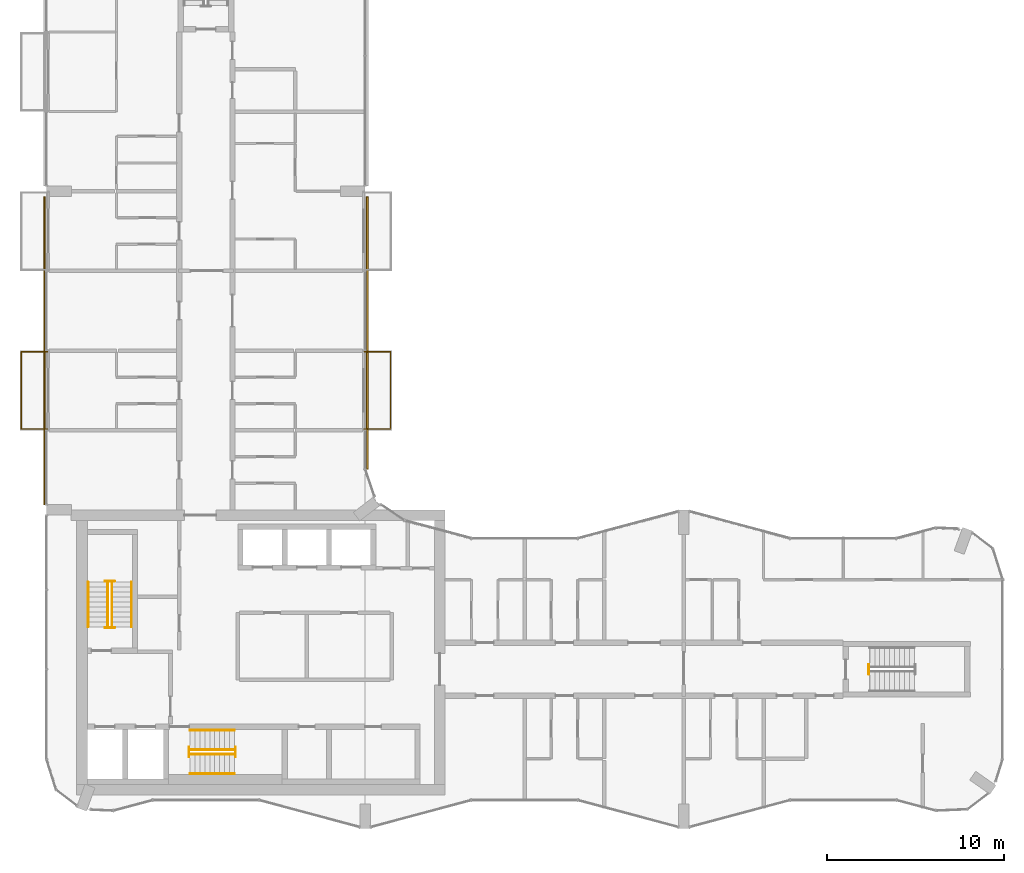
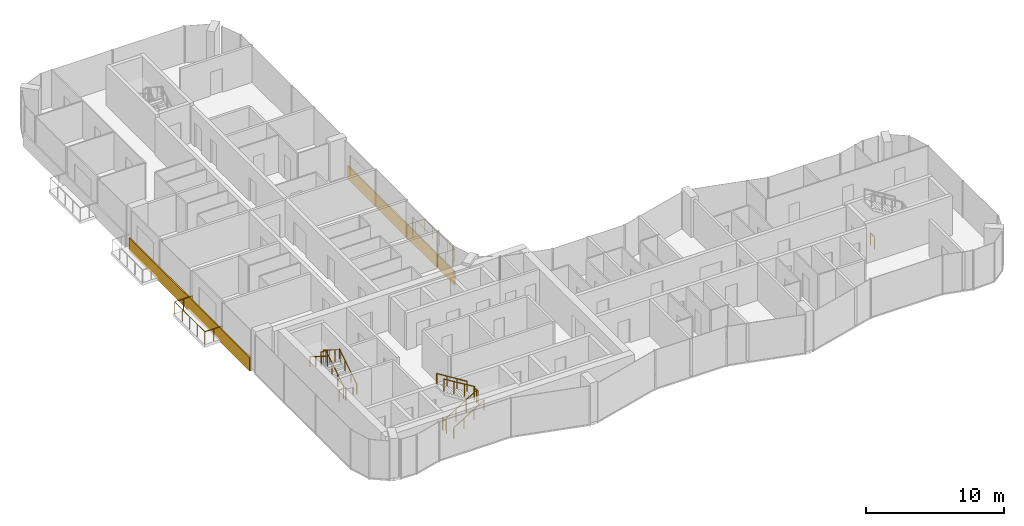
# One storey, part 14 of 16: 15 railings, 2 coverings.
"""IFC4 building model written with IfcOpenShell, lengths in metres."""

import ifcopenshell
import ifcopenshell.guid

model = None  # the IFC model being written
_history = None  # IfcOwnerHistory: only IFC2X3 demands one
_inside = {}  # id of a spatial element -> (the spatial element, [elements in it])
_under = {}  # id of a project, library or spatial element -> (it, [spatial elements below it])
_declared = {}  # id of a project -> (the project, [libraries it declares])
_typed = {}  # id of a type object -> (the type object, [elements of that type])
_made_of = {}  # id of a material, layer set ... -> (it, [elements and type objects made of it])


def new_model(schema):
    """Start an empty IFC model of exactly this schema.

    Asked for "IFC4X3", IfcOpenShell would pick the latest addendum, in which some entities
    have other attributes; the version numbers below select the first issue.
    IFC2X3 requires an IfcOwnerHistory on every rooted entity: one is made here for all.
    """
    global model, _history
    if schema == "IFC4X3":
        model = ifcopenshell.file(schema_version=(4, 3, 0, 0))
    else:
        model = ifcopenshell.file(schema=schema)
    _inside.clear()
    _under.clear()
    _declared.clear()
    _typed.clear()
    _made_of.clear()
    _history = None
    if model.schema == "IFC2X3":
        org = make("IfcOrganization", Name="unknown")
        user = make(
            "IfcPersonAndOrganization",
            ThePerson=make("IfcPerson", FamilyName="unknown"),
            TheOrganization=org,
        )
        app = make(
            "IfcApplication",
            ApplicationDeveloper=org,
            Version="unknown",
            ApplicationFullName="unknown",
            ApplicationIdentifier="unknown",
        )
        _history = make(
            "IfcOwnerHistory",
            OwningUser=user,
            OwningApplication=app,
            ChangeAction="ADDED",
            CreationDate=0,
        )
    return model


def make(cls, **values):
    """One entity of the class cls with the attributes given. An attribute that is None is left unset."""
    return model.create_entity(
        cls, **{name: value for name, value in values.items() if value is not None}
    )


def rooted(cls, **values):
    """An entity with a GlobalId (a new one), such as an element, a storey or a relation."""
    return make(cls, GlobalId=ifcopenshell.guid.new(), OwnerHistory=_history, **values)


def si_unit(unit_type, name, prefix=None):
    """IfcSIUnit, for example si_unit("LENGTHUNIT", "METRE", prefix="MILLI")."""
    return make("IfcSIUnit", UnitType=unit_type, Prefix=prefix, Name=name)


def assignment(units):
    """IfcUnitAssignment: the units of a project."""
    return None if units is None else make("IfcUnitAssignment", Units=units)


def point(xyz):
    """IfcCartesianPoint."""
    return None if xyz is None else make("IfcCartesianPoint", Coordinates=xyz)


def direction(xyz):
    """IfcDirection."""
    return None if xyz is None else make("IfcDirection", DirectionRatios=xyz)


def frame(location, z_axis=None, x_axis=None):
    """IfcAxis2Placement3D, a coordinate frame: its origin and axes. An axis left out is left unset."""
    return make(
        "IfcAxis2Placement3D",
        Location=point(location),
        Axis=direction(z_axis),
        RefDirection=direction(x_axis),
    )


def frame_2d(location, x_axis=None):
    """IfcAxis2Placement2D, a coordinate frame in the plane: its origin and x axis."""
    return make(
        "IfcAxis2Placement2D", Location=point(location), RefDirection=direction(x_axis)
    )


def origin():
    """The frame at (0, 0, 0) with its axes left unset."""
    return frame((0.0, 0.0, 0.0))


def origin_2d():
    """The frame at (0, 0) in the plane with its x axis left unset."""
    return frame_2d((0.0, 0.0))


def place(relative_to, where):
    """IfcLocalPlacement: puts the frame where relative to a parent placement (None: the world)."""
    return make(
        "IfcLocalPlacement", PlacementRelTo=relative_to, RelativePlacement=where
    )


def context(
    kind, dimensions, precision=None, world=None, true_north=None, identifier=None
):
    """IfcGeometricRepresentationContext, for example the 3D "Model" context."""
    return make(
        "IfcGeometricRepresentationContext",
        ContextIdentifier=identifier,
        ContextType=kind,
        CoordinateSpaceDimension=dimensions,
        Precision=precision,
        WorldCoordinateSystem=world,
        TrueNorth=true_north,
    )


def subcontext(parent, identifier, kind, view, scale=None):
    """IfcGeometricRepresentationSubContext, for example "Body" below "Model"."""
    return make(
        "IfcGeometricRepresentationSubContext",
        ContextIdentifier=identifier,
        ContextType=kind,
        ParentContext=parent,
        TargetScale=scale,
        TargetView=view,
    )


def project(units=None, contexts=None):
    """IfcProject with its units and contexts."""
    return rooted(
        "IfcProject",
        Name="project",
        RepresentationContexts=contexts,
        UnitsInContext=assignment(units),
    )


def spatial(cls, under=None, at=None, **own):
    """A site, building, storey or space (cls), placed at a placement, below another one or the project."""
    s = rooted(cls, ObjectPlacement=at, **own)
    if under is not None:
        _under.setdefault(under.id(), (under, []))[1].append(s)
    return s


def profile(cls, at=None, kind="AREA", **sizes):
    """A parametric profile (cls). Its sizes go by their IFC names, for example OverallWidth=200.0."""
    return make(cls, ProfileType=kind, Position=at, **sizes)


def rectangle(**sizes):
    """IfcRectangleProfileDef."""
    return profile("IfcRectangleProfileDef", **sizes)


def circle(**sizes):
    """IfcCircleProfileDef."""
    return profile("IfcCircleProfileDef", **sizes)


def extrude(swept, where, along, depth):
    """IfcExtrudedAreaSolid: the profile swept, set in the frame where, extruded along a direction by depth."""
    return make(
        "IfcExtrudedAreaSolid",
        SweptArea=swept,
        Position=where,
        ExtrudedDirection=direction(along),
        Depth=depth,
    )


def shape(context_of_items, identifier, shape_type, items):
    """IfcShapeRepresentation: the items that make up one representation, for example the "Body"."""
    return make(
        "IfcShapeRepresentation",
        ContextOfItems=context_of_items,
        RepresentationIdentifier=identifier,
        RepresentationType=shape_type,
        Items=items,
    )


def material(Name=None, Category=None):
    """IfcMaterial."""
    return make("IfcMaterial", Name=Name, Category=Category)


def layer(
    of_material, thickness, ventilated=None, Name=None, Category=None, Priority=None
):
    """IfcMaterialLayer: one layer of a wall or slab, of a material (None: an air gap)."""
    return make(
        "IfcMaterialLayer",
        Material=of_material,
        LayerThickness=thickness,
        IsVentilated=ventilated,
        Name=Name,
        Category=Category,
        Priority=Priority,
    )


def layer_set(layers, Name=None):
    """IfcMaterialLayerSet."""
    return make("IfcMaterialLayerSet", MaterialLayers=layers, LayerSetName=Name)


def made_of(thing, what):
    """Note that an element or type object is made of a material, layer set ...; save() writes the relation."""
    if what is not None:
        _made_of.setdefault(what.id(), (what, []))[1].append(thing)
    return thing


def type_object(cls, material=None, **own):
    """A type object (cls), such as IfcWallType, which elements share."""
    return made_of(rooted(cls, **own), material)


def element(
    cls,
    number,
    at=None,
    inside=None,
    cuts=None,
    type_object=None,
    material=None,
    context=None,
    identifier="Body",
    shape_type=None,
    held_by="IfcProductDefinitionShape",
    body=None,
    shapes=None,
    **own,
):
    """One element of the class cls, such as IfcWall. Its Tag is "e" and its number.

    at: its placement. inside: the storey or other place that contains it. cuts: it is an
    opening in that element (IfcRelVoidsElement). A single representation is given by context,
    identifier, shape_type and body (its items); several are given by shapes. held_by: the class
    of the entity that holds the representations. save() writes the other relations.
    """
    e = rooted(cls, Tag="e%d" % number, ObjectPlacement=at, **own)
    if body is not None:
        shapes = [shape(context, identifier, shape_type, body)]
    if shapes is not None:
        e.Representation = make(held_by, Representations=shapes)
    if inside is not None:
        _inside.setdefault(inside.id(), (inside, []))[1].append(e)
    if cuts is not None:
        rooted(
            "IfcRelVoidsElement", RelatingBuildingElement=cuts, RelatedOpeningElement=e
        )
    if type_object is not None:
        _typed.setdefault(type_object.id(), (type_object, []))[1].append(e)
    return made_of(e, material)


def aggregate(whole, parts):
    """IfcRelAggregates: a whole, such as a stair, and the parts it consists of."""
    return rooted("IfcRelAggregates", RelatingObject=whole, RelatedObjects=parts)


def save(model, path):
    """Write the relations noted so far, then the file.

    IfcRelAggregates (storeys below a building ...), IfcRelContainedInSpatialStructure (elements
    in a storey), IfcRelDefinesByType, IfcRelAssociatesMaterial and IfcRelDeclares: one each for
    every whole, place, type object, material and project.
    """
    for whole, parts in _under.values():
        aggregate(whole, parts)
    for where, things in _inside.values():
        rooted(
            "IfcRelContainedInSpatialStructure",
            RelatedElements=things,
            RelatingStructure=where,
        )
    for kind, things in _typed.values():
        rooted("IfcRelDefinesByType", RelatedObjects=things, RelatingType=kind)
    for what, things in _made_of.values():
        rooted("IfcRelAssociatesMaterial", RelatedObjects=things, RelatingMaterial=what)
    for by, libraries in _declared.values():
        rooted("IfcRelDeclares", RelatingContext=by, RelatedDefinitions=libraries)
    model.write(path)


model = new_model("IFC4")

# Units and contexts
model_context = context("Model", 3, precision=1e-05, world=origin(), true_north=direction((0.0, 1.0)))
body_context = subcontext(model_context, "Body", "Model", "MODEL_VIEW")
ifc_project = project(units=[si_unit("LENGTHUNIT", "METRE"), si_unit("AREAUNIT", "SQUARE_METRE"), si_unit("VOLUMEUNIT", "CUBIC_METRE"), si_unit("PLANEANGLEUNIT", "RADIAN"), si_unit("MASSUNIT", "GRAM", prefix="KILO")], contexts=[model_context])

# Site, building, storey
site_placement = place(None, origin())
site = spatial("IfcSite", under=ifc_project, at=site_placement, CompositionType="ELEMENT")
building_placement = place(site_placement, origin())
building = spatial("IfcBuilding", under=site, at=building_placement, Name="Plateau Cross Towers", CompositionType="ELEMENT")
storey_placement = place(building_placement, frame((0.0, 0.0, 160.39990234375)))
storey = spatial("IfcBuildingStorey", under=building, at=storey_placement, Name="L41", CompositionType="ELEMENT", Elevation=160.39990234375)

# Railings
ifc_material_1 = material(Name="Stainless steel and toughened glass", Category="steel")
railing_type_1 = type_object("IfcRailingType", Name="Glass balustrade guard 1100", PredefinedType="GUARDRAIL", material=ifc_material_1)
railing_1_placement = place(storey_placement, frame((0.050048828125, 22.570068359375, 0.0)))
element("IfcRailing", 1, at=railing_1_placement, inside=storey, type_object=railing_type_1, Name="Guard guard1", PredefinedType="GUARDRAIL", context=body_context, shape_type="SweptSolid", body=[
    extrude(circle(Radius=0.02392578125, at=origin_2d()), frame((0.0, 0.0, 1.076171875), z_axis=(-1.0, 0.0, 0.0), x_axis=(0.0, -1.0, 0.0)), (0.0, 0.0, 1.0), 1.47998046875),
    extrude(circle(Radius=0.02392578125, at=origin_2d()), frame((-1.47998046875, 0.0, 1.076171875), z_axis=(0.0, 1.0, 0.0), x_axis=(-1.0, 0.0, 0.0)), (0.0, 0.0, 1.0), 4.35986328125),
    extrude(circle(Radius=0.02392578125, at=origin_2d()), frame((-1.47998046875, 4.35986328125, 1.076171875), z_axis=(1.0, 0.0, 0.0), x_axis=(0.0, 1.0, 0.0)), (0.0, 0.0, 1.0), 1.47998046875),
    extrude(circle(Radius=0.02099609375, at=origin_2d()), origin(), (0.0, 0.0, 1.0), 1.052001953125),
    extrude(circle(Radius=0.02099609375, at=origin_2d()), frame((-0.739990234375, 0.0, 0.0)), (0.0, 0.0, 1.0), 1.052001953125),
    extrude(circle(Radius=0.02099609375, at=origin_2d()), frame((-1.47998046875, 0.0, 0.0)), (0.0, 0.0, 1.0), 1.052001953125),
    extrude(circle(Radius=0.02099609375, at=origin_2d()), frame((-1.47998046875, 1.08984375, 0.0)), (0.0, 0.0, 1.0), 1.052001953125),
    extrude(circle(Radius=0.02099609375, at=origin_2d()), frame((-1.47998046875, 2.179931640625, 0.0)), (0.0, 0.0, 1.0), 1.052001953125),
    extrude(circle(Radius=0.02099609375, at=origin_2d()), frame((-1.47998046875, 3.27001953125, 0.0)), (0.0, 0.0, 1.0), 1.052001953125),
    extrude(circle(Radius=0.02099609375, at=origin_2d()), frame((-1.47998046875, 4.35986328125, 0.0)), (0.0, 0.0, 1.0), 1.052001953125),
    extrude(circle(Radius=0.02099609375, at=origin_2d()), frame((-0.739990234375, 4.35986328125, 0.0)), (0.0, 0.0, 1.0), 1.052001953125),
    extrude(circle(Radius=0.02099609375, at=origin_2d()), frame((0.0, 4.35986328125, 0.0)), (0.0, 0.0, 1.0), 1.052001953125),
])
railing_2_placement = place(storey_placement, frame((17.949951171875, 26.929931640625, 0.0)))
element("IfcRailing", 2, at=railing_2_placement, inside=storey, type_object=railing_type_1, Name="Guard guard1", PredefinedType="GUARDRAIL", context=body_context, shape_type="SweptSolid", body=[
    extrude(circle(Radius=0.02392578125, at=origin_2d()), frame((0.0, 0.0, 1.076171875), z_axis=(1.0, 0.0, 0.0), x_axis=(0.0, 1.0, 0.0)), (0.0, 0.0, 1.0), 1.47998046875),
    extrude(circle(Radius=0.02392578125, at=origin_2d()), frame((1.47998046875, 0.0, 1.076171875), z_axis=(0.0, -1.0, 0.0), x_axis=(1.0, 0.0, 0.0)), (0.0, 0.0, 1.0), 4.35986328125),
    extrude(circle(Radius=0.02392578125, at=origin_2d()), frame((1.47998046875, -4.35986328125, 1.076171875), z_axis=(-1.0, 0.0, 0.0), x_axis=(0.0, -1.0, 0.0)), (0.0, 0.0, 1.0), 1.47998046875),
    extrude(circle(Radius=0.02099609375, at=origin_2d()), origin(), (0.0, 0.0, 1.0), 1.052001953125),
    extrude(circle(Radius=0.02099609375, at=origin_2d()), frame((0.739990234375, 0.0, 0.0)), (0.0, 0.0, 1.0), 1.052001953125),
    extrude(circle(Radius=0.02099609375, at=origin_2d()), frame((1.47998046875, 0.0, 0.0)), (0.0, 0.0, 1.0), 1.052001953125),
    extrude(circle(Radius=0.02099609375, at=origin_2d()), frame((1.47998046875, -1.08984375, 0.0)), (0.0, 0.0, 1.0), 1.052001953125),
    extrude(circle(Radius=0.02099609375, at=origin_2d()), frame((1.47998046875, -2.179931640625, 0.0)), (0.0, 0.0, 1.0), 1.052001953125),
    extrude(circle(Radius=0.02099609375, at=origin_2d()), frame((1.47998046875, -3.27001953125, 0.0)), (0.0, 0.0, 1.0), 1.052001953125),
    extrude(circle(Radius=0.02099609375, at=origin_2d()), frame((1.47998046875, -4.35986328125, 0.0)), (0.0, 0.0, 1.0), 1.052001953125),
    extrude(circle(Radius=0.02099609375, at=origin_2d()), frame((0.739990234375, -4.35986328125, 0.0)), (0.0, 0.0, 1.0), 1.052001953125),
    extrude(circle(Radius=0.02099609375, at=origin_2d()), frame((0.0, -4.35986328125, 0.0)), (0.0, 0.0, 1.0), 1.052001953125),
])
railing_type_2 = type_object("IfcRailingType", Name="RL-GUARD-1100", PredefinedType="GUARDRAIL", material=ifc_material_1)
railing_3_placement = place(storey_placement, frame((3.699951171875, 11.39990234375, 0.175048828125)))
element("IfcRailing", 3, at=railing_3_placement, inside=storey, type_object=railing_type_2, Name="L41 ST-1 stair guard 1", PredefinedType="GUARDRAIL", context=body_context, shape_type="SweptSolid", body=[
    extrude(circle(Radius=0.02392578125, at=origin_2d()), frame((0.0, 0.0, 1.076171875), z_axis=(0.0, 0.848007534815, 0.529984170421), x_axis=(-1.0, 0.0, 0.0)), (0.0, 0.0, 1.0), 2.9716796875),
    extrude(circle(Radius=0.02099609375, at=origin_2d()), origin(), (0.0, 0.0, 1.0), 1.052001953125),
    extrude(circle(Radius=0.02099609375, at=origin_2d()), frame((0.0, 0.840087890625, 0.52490234375)), (0.0, 0.0, 1.0), 1.052001953125),
    extrude(circle(Radius=0.02099609375, at=origin_2d()), frame((0.0, 1.679931640625, 1.050048828125)), (0.0, 0.0, 1.0), 1.052001953125),
    extrude(circle(Radius=0.02099609375, at=origin_2d()), frame((0.0, 2.52001953125, 1.574951171875)), (0.0, 0.0, 1.0), 1.052001953125),
])
railing_4_placement = place(storey_placement, frame((3.85009765625, 13.969970703125, 1.75)))
element("IfcRailing", 4, at=railing_4_placement, inside=storey, type_object=railing_type_2, Name="L41 ST-1 stair guard 2", PredefinedType="GUARDRAIL", context=body_context, shape_type="SweptSolid", body=[
    extrude(circle(Radius=0.02392578125, at=origin_2d()), frame((0.0, 0.0, 1.076171875), z_axis=(-1.0, 0.0, 0.0), x_axis=(0.0, -1.0, 0.0)), (0.0, 0.0, 1.0), 0.550048828125),
    extrude(circle(Radius=0.02099609375, at=origin_2d()), origin(), (0.0, 0.0, 1.0), 1.052001953125),
    extrude(circle(Radius=0.02099609375, at=origin_2d()), frame((-0.550048828125, 0.0, 0.0)), (0.0, 0.0, 1.0), 1.052001953125),
])
railing_5_placement = place(storey_placement, frame((3.449951171875, 13.919921875, 1.925048828125)))
element("IfcRailing", 5, at=railing_5_placement, inside=storey, type_object=railing_type_2, Name="L41 ST-1 stair guard 3", PredefinedType="GUARDRAIL", context=body_context, shape_type="SweptSolid", body=[
    extrude(circle(Radius=0.02392578125, at=origin_2d()), frame((0.0, 0.0, 1.076171875), z_axis=(0.0, -0.852616386126, 0.522537365276), x_axis=(1.0, 0.0, 0.0)), (0.0, 0.0, 1.0), 3.01416015625),
    extrude(circle(Radius=0.02099609375, at=origin_2d()), origin(), (0.0, 0.0, 1.0), 1.052001953125),
    extrude(circle(Radius=0.02099609375, at=origin_2d()), frame((0.0, -0.856689453125, 0.52490234375)), (0.0, 0.0, 1.0), 1.052001953125),
    extrude(circle(Radius=0.02099609375, at=origin_2d()), frame((0.0, -1.713134765625, 1.050048828125)), (0.0, 0.0, 1.0), 1.052001953125),
    extrude(circle(Radius=0.02099609375, at=origin_2d()), frame((0.0, -2.56982421875, 1.574951171875)), (0.0, 0.0, 1.0), 1.052001953125),
])
railing_6_placement = place(storey_placement, frame((3.85009765625, 11.35009765625, 0.0)))
element("IfcRailing", 6, at=railing_6_placement, inside=storey, type_object=railing_type_2, Name="L41 ST-1 stair guard 4", PredefinedType="GUARDRAIL", context=body_context, shape_type="SweptSolid", body=[
    extrude(circle(Radius=0.02392578125, at=origin_2d()), frame((0.0, 0.0, 1.076171875), z_axis=(-1.0, 0.0, 0.0), x_axis=(0.0, -1.0, 0.0)), (0.0, 0.0, 1.0), 0.550048828125),
    extrude(circle(Radius=0.02099609375, at=origin_2d()), origin(), (0.0, 0.0, 1.0), 1.052001953125),
    extrude(circle(Radius=0.02099609375, at=origin_2d()), frame((-0.550048828125, 0.0, 0.0)), (0.0, 0.0, 1.0), 1.052001953125),
])
railing_7_placement = place(storey_placement, frame((8.10009765625, 4.199951171875, 0.175048828125)))
element("IfcRailing", 7, at=railing_7_placement, inside=storey, type_object=railing_type_2, Name="L41 ST-2 stair guard 1", PredefinedType="GUARDRAIL", context=body_context, shape_type="SweptSolid", body=[
    extrude(circle(Radius=0.02392578125, at=origin_2d()), frame((0.0, 0.0, 1.076171875), z_axis=(0.848007534815, 0.0, 0.529984170421), x_axis=(0.0, 1.0, 0.0)), (0.0, 0.0, 1.0), 2.9716796875),
    extrude(circle(Radius=0.02099609375, at=origin_2d()), origin(), (0.0, 0.0, 1.0), 1.052001953125),
    extrude(circle(Radius=0.02099609375, at=origin_2d()), frame((0.840087890625, 0.0, 0.52490234375)), (0.0, 0.0, 1.0), 1.052001953125),
    extrude(circle(Radius=0.02099609375, at=origin_2d()), frame((1.679931640625, 0.0, 1.050048828125)), (0.0, 0.0, 1.0), 1.052001953125),
    extrude(circle(Radius=0.02099609375, at=origin_2d()), frame((2.52001953125, 0.0, 1.574951171875)), (0.0, 0.0, 1.0), 1.052001953125),
])
railing_8_placement = place(storey_placement, frame((10.669921875, 4.050048828125, 1.75)))
element("IfcRailing", 8, at=railing_8_placement, inside=storey, type_object=railing_type_2, Name="L41 ST-2 stair guard 2", PredefinedType="GUARDRAIL", context=body_context, shape_type="SweptSolid", body=[
    extrude(circle(Radius=0.02392578125, at=origin_2d()), frame((0.0, 0.0, 1.076171875), z_axis=(0.0, 1.0, 0.0), x_axis=(-1.0, 0.0, 0.0)), (0.0, 0.0, 1.0), 0.550048828125),
    extrude(circle(Radius=0.02099609375, at=origin_2d()), origin(), (0.0, 0.0, 1.0), 1.052001953125),
    extrude(circle(Radius=0.02099609375, at=origin_2d()), frame((0.0, 0.550048828125, 0.0)), (0.0, 0.0, 1.0), 1.052001953125),
])
railing_9_placement = place(storey_placement, frame((10.6201171875, 4.449951171875, 1.925048828125)))
element("IfcRailing", 9, at=railing_9_placement, inside=storey, type_object=railing_type_2, Name="L41 ST-2 stair guard 3", PredefinedType="GUARDRAIL", context=body_context, shape_type="SweptSolid", body=[
    extrude(circle(Radius=0.02392578125, at=origin_2d()), frame((0.0, 0.0, 1.076171875), z_axis=(-0.852638500773, 0.0, 0.522501279423), x_axis=(0.0, -1.0, 0.0)), (0.0, 0.0, 1.0), 3.01416015625),
    extrude(circle(Radius=0.02099609375, at=origin_2d()), origin(), (0.0, 0.0, 1.0), 1.052001953125),
    extrude(circle(Radius=0.02099609375, at=origin_2d()), frame((-0.856689453125, 0.0, 0.52490234375)), (0.0, 0.0, 1.0), 1.052001953125),
    extrude(circle(Radius=0.02099609375, at=origin_2d()), frame((-1.71337890625, 0.0, 1.050048828125)), (0.0, 0.0, 1.0), 1.052001953125),
    extrude(circle(Radius=0.02099609375, at=origin_2d()), frame((-2.570068359375, 0.0, 1.574951171875)), (0.0, 0.0, 1.0), 1.052001953125),
])
railing_10_placement = place(storey_placement, frame((8.050048828125, 4.050048828125, 0.0)))
element("IfcRailing", 10, at=railing_10_placement, inside=storey, type_object=railing_type_2, Name="L41 ST-2 stair guard 4", PredefinedType="GUARDRAIL", context=body_context, shape_type="SweptSolid", body=[
    extrude(circle(Radius=0.02392578125, at=origin_2d()), frame((0.0, 0.0, 1.076171875), z_axis=(0.0, 1.0, 0.0), x_axis=(-1.0, 0.0, 0.0)), (0.0, 0.0, 1.0), 0.550048828125),
    extrude(circle(Radius=0.02099609375, at=origin_2d()), origin(), (0.0, 0.0, 1.0), 1.052001953125),
    extrude(circle(Radius=0.02099609375, at=origin_2d()), frame((0.0, 0.550048828125, 0.0)), (0.0, 0.0, 1.0), 1.052001953125),
])
railing_11_placement = place(storey_placement, frame((46.449951171875, 8.72509765625, 0.0)))
element("IfcRailing", 11, at=railing_11_placement, inside=storey, type_object=railing_type_2, Name="L41 ES-E stair guard 4", PredefinedType="GUARDRAIL", context=body_context, shape_type="SweptSolid", body=[
    extrude(circle(Radius=0.02392578125, at=origin_2d()), frame((0.0, 0.0, 1.076171875), z_axis=(0.0, 1.0, 0.0), x_axis=(-1.0, 0.0, 0.0)), (0.0, 0.0, 1.0), 0.5498046875),
    extrude(circle(Radius=0.02099609375, at=origin_2d()), origin(), (0.0, 0.0, 1.0), 1.052001953125),
    extrude(circle(Radius=0.02099609375, at=origin_2d()), frame((0.0, 0.5498046875, 0.0)), (0.0, 0.0, 1.0), 1.052001953125),
])
ifc_material_2 = material(Name="Black anodised aluminium", Category="aluminium")
railing_type_3 = type_object("IfcRailingType", Name="RL-HANDRAIL-900", PredefinedType="HANDRAIL", material=ifc_material_2)
railing_12_placement = place(storey_placement, frame((4.800048828125, 11.39990234375, 0.175048828125)))
element("IfcRailing", 12, at=railing_12_placement, inside=storey, type_object=railing_type_3, Name="L41 ST-1 stair handrail 1", PredefinedType="HANDRAIL", context=body_context, shape_type="SweptSolid", body=[
    extrude(circle(Radius=0.02392578125, at=origin_2d()), frame((0.0, 0.0, 0.8759765625), z_axis=(0.0, 0.848007534815, 0.529984170421), x_axis=(-1.0, 0.0, 0.0)), (0.0, 0.0, 1.0), 2.9716796875),
    extrude(circle(Radius=0.02099609375, at=origin_2d()), origin(), (0.0, 0.0, 1.0), 0.851806640625),
    extrude(circle(Radius=0.02099609375, at=origin_2d()), frame((0.0, 0.840087890625, 0.52490234375)), (0.0, 0.0, 1.0), 0.851806640625),
    extrude(circle(Radius=0.02099609375, at=origin_2d()), frame((0.0, 1.679931640625, 1.050048828125)), (0.0, 0.0, 1.0), 0.851806640625),
    extrude(circle(Radius=0.02099609375, at=origin_2d()), frame((0.0, 2.52001953125, 1.574951171875)), (0.0, 0.0, 1.0), 0.851806640625),
])
railing_13_placement = place(storey_placement, frame((2.35009765625, 13.919921875, 1.925048828125)))
element("IfcRailing", 13, at=railing_13_placement, inside=storey, type_object=railing_type_3, Name="L41 ST-1 stair handrail 2", PredefinedType="HANDRAIL", context=body_context, shape_type="SweptSolid", body=[
    extrude(circle(Radius=0.02392578125, at=origin_2d()), frame((0.0, 0.0, 0.8759765625), z_axis=(0.0, -0.848007534815, 0.529984170421), x_axis=(1.0, 0.0, 0.0)), (0.0, 0.0, 1.0), 2.9716796875),
    extrude(circle(Radius=0.02099609375, at=origin_2d()), origin(), (0.0, 0.0, 1.0), 0.851806640625),
    extrude(circle(Radius=0.02099609375, at=origin_2d()), frame((0.0, -0.840087890625, 0.52490234375)), (0.0, 0.0, 1.0), 0.851806640625),
    extrude(circle(Radius=0.02099609375, at=origin_2d()), frame((0.0, -1.679931640625, 1.050048828125)), (0.0, 0.0, 1.0), 0.851806640625),
    extrude(circle(Radius=0.02099609375, at=origin_2d()), frame((0.0, -2.52001953125, 1.574951171875)), (0.0, 0.0, 1.0), 0.851806640625),
])
railing_14_placement = place(storey_placement, frame((8.10009765625, 3.10009765625, 0.175048828125)))
element("IfcRailing", 14, at=railing_14_placement, inside=storey, type_object=railing_type_3, Name="L41 ST-2 stair handrail 1", PredefinedType="HANDRAIL", context=body_context, shape_type="SweptSolid", body=[
    extrude(circle(Radius=0.02392578125, at=origin_2d()), frame((0.0, 0.0, 0.8759765625), z_axis=(0.848007534815, 0.0, 0.529984170421), x_axis=(0.0, 1.0, 0.0)), (0.0, 0.0, 1.0), 2.9716796875),
    extrude(circle(Radius=0.02099609375, at=origin_2d()), origin(), (0.0, 0.0, 1.0), 0.851806640625),
    extrude(circle(Radius=0.02099609375, at=origin_2d()), frame((0.840087890625, 0.0, 0.52490234375)), (0.0, 0.0, 1.0), 0.851806640625),
    extrude(circle(Radius=0.02099609375, at=origin_2d()), frame((1.679931640625, 0.0, 1.050048828125)), (0.0, 0.0, 1.0), 0.851806640625),
    extrude(circle(Radius=0.02099609375, at=origin_2d()), frame((2.52001953125, 0.0, 1.574951171875)), (0.0, 0.0, 1.0), 0.851806640625),
])
railing_15_placement = place(storey_placement, frame((10.6201171875, 5.550048828125, 1.925048828125)))
element("IfcRailing", 15, at=railing_15_placement, inside=storey, type_object=railing_type_3, Name="L41 ST-2 stair handrail 2", PredefinedType="HANDRAIL", context=body_context, shape_type="SweptSolid", body=[
    extrude(circle(Radius=0.02392578125, at=origin_2d()), frame((0.0, 0.0, 0.8759765625), z_axis=(-0.848007534815, 0.0, 0.529984170421), x_axis=(0.0, -1.0, 0.0)), (0.0, 0.0, 1.0), 2.9716796875),
    extrude(circle(Radius=0.02099609375, at=origin_2d()), origin(), (0.0, 0.0, 1.0), 0.851806640625),
    extrude(circle(Radius=0.02099609375, at=origin_2d()), frame((-0.840087890625, 0.0, 0.52490234375)), (0.0, 0.0, 1.0), 0.851806640625),
    extrude(circle(Radius=0.02099609375, at=origin_2d()), frame((-1.679931640625, 0.0, 1.050048828125)), (0.0, 0.0, 1.0), 0.851806640625),
    extrude(circle(Radius=0.02099609375, at=origin_2d()), frame((-2.52001953125, 0.0, 1.574951171875)), (0.0, 0.0, 1.0), 0.851806640625),
])

# Coverings
ifc_material_3 = material(Name="Precast concrete cladding C40/50", Category="concrete")
ifc_layer = layer(ifc_material_3, 0.10009765625)
ifc_layer_set = layer_set([ifc_layer], Name="Precast concrete cladding C40/50")
covering_type = type_object("IfcCoveringType", Name="Spandrel band cladding 100x1200", PredefinedType="CLADDING", material=ifc_layer_set)
covering_1_placement = place(storey_placement, frame((18.1201171875, 28.001220703125, -0.25), z_axis=(0.0, 0.0, 1.0), x_axis=(0.0, 1.0, 0.0)))
element("IfcCovering", 16, at=covering_1_placement, inside=storey, type_object=covering_type, Name="Spandrel band", PredefinedType="CLADDING", context=body_context, shape_type="SweptSolid", body=[
    extrude(rectangle(XDim=15.397705078125, YDim=0.10009765625, at=origin_2d()), origin(), (0.0, 0.0, 1.0), 1.199951171875),
])
covering_2_placement = place(storey_placement, frame((-0.1201171875, 27.0, -0.25), z_axis=(0.0, 0.0, 1.0), x_axis=(0.0, -1.0, 0.0)))
element("IfcCovering", 17, at=covering_2_placement, inside=storey, type_object=covering_type, Name="Spandrel band", PredefinedType="CLADDING", context=body_context, shape_type="SweptSolid", body=[
    extrude(rectangle(XDim=17.39990234375, YDim=0.10009765625, at=origin_2d()), origin(), (0.0, 0.0, 1.0), 1.199951171875),
])

save(model, "model.ifc")
